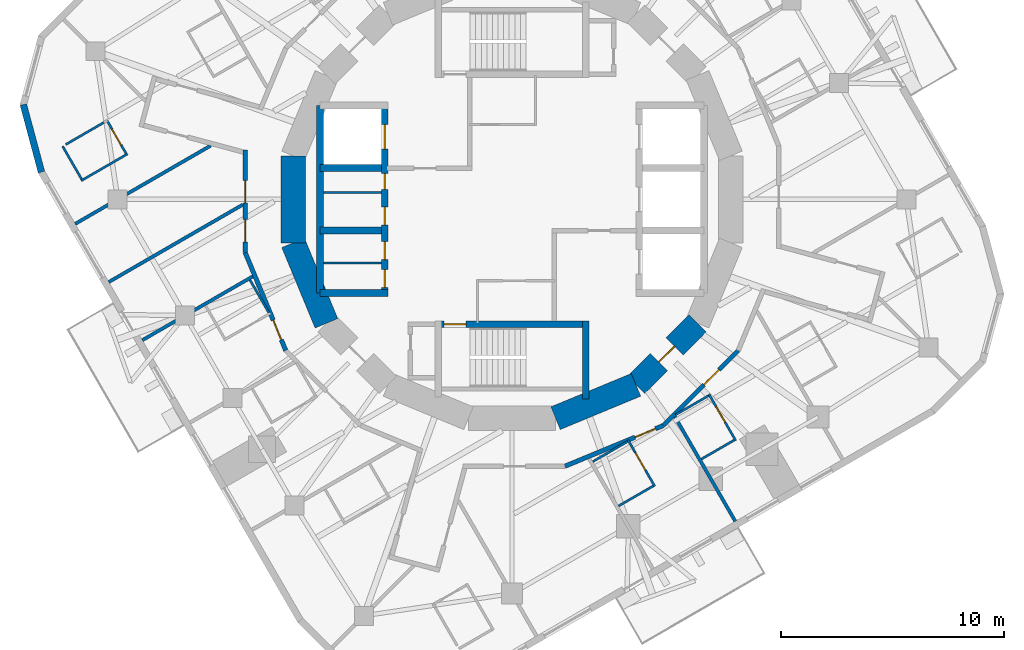
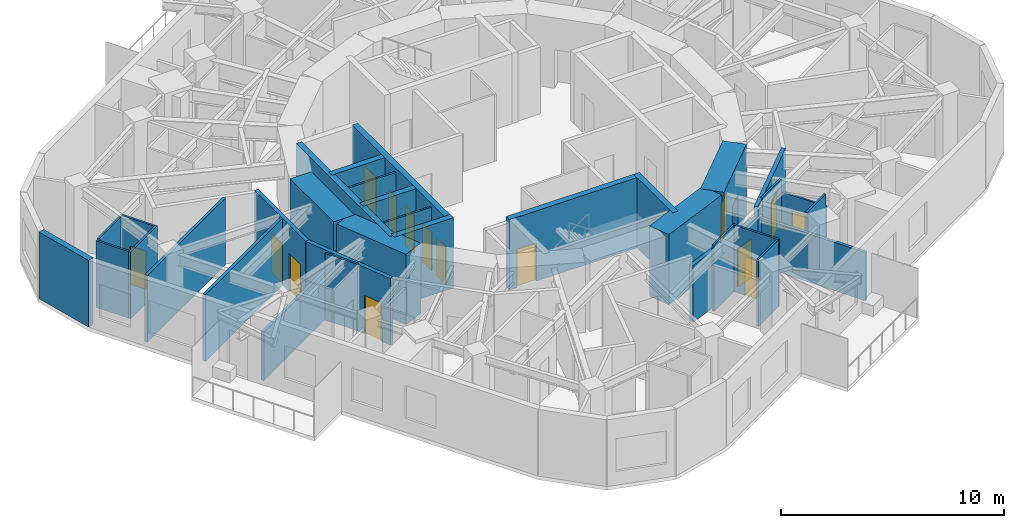
# One storey, part 5 of 11: 33 walls, 15 doors, 15 openings.
"""IFC4 building model written with IfcOpenShell, lengths in metres."""

from ifc_helpers import new_model, si_unit, direction, frame, frame_2d, origin, place, context, subcontext, project, spatial, rectangle, extrude, material, layer, layer_set, type_object, element, fill, save


model = new_model("IFC4")

# Units and contexts
model_context = context("Model", 3, precision=1e-05, world=origin(), true_north=direction((0.0, 1.0)))
body_context = subcontext(model_context, "Body", "Model", "MODEL_VIEW")
ifc_project = project(units=[si_unit("LENGTHUNIT", "METRE"), si_unit("AREAUNIT", "SQUARE_METRE"), si_unit("VOLUMEUNIT", "CUBIC_METRE"), si_unit("PLANEANGLEUNIT", "RADIAN"), si_unit("MASSUNIT", "GRAM", prefix="KILO")], contexts=[model_context])

# Site, building, storey
site_placement = place(None, origin())
site = spatial("IfcSite", under=ifc_project, at=site_placement, CompositionType="ELEMENT")
building_placement = place(site_placement, origin())
building = spatial("IfcBuilding", under=site, at=building_placement, Name="Nakasero Lantern House", CompositionType="ELEMENT")
storey_placement = place(building_placement, frame((0.0, 0.0, 250.050048828125)))
storey = spatial("IfcBuildingStorey", under=building, at=storey_placement, Name="L61", CompositionType="ELEMENT", Elevation=250.050048828125)

# Wall, openings, doors
ifc_material_1 = material(Name="Concrete C50/60", Category="concrete")
ifc_layer_1 = layer(ifc_material_1, 0.300048828125)
ifc_layer_set_1 = layer_set([ifc_layer_1], Name="Core inner wall 300")
wall_type_1 = type_object("IfcWallType", Name="Core inner wall 300", PredefinedType="SHEAR", material=ifc_layer_set_1)
wall_1_placement = place(storey_placement, frame((-5.699951171875, -4.199951171875, 0.0), z_axis=(0.0, 0.0, 1.0), x_axis=(0.0, 1.0, 0.0)))
wall_1 = element("IfcWall", 1, at=wall_1_placement, inside=storey, type_object=wall_type_1, Name="Core inner wall L61 LW", PredefinedType="SHEAR", context=body_context, shape_type="SweptSolid", body=[
    extrude(rectangle(XDim=8.39990234375, YDim=0.300048828125, at=frame_2d((4.199951171875, 0.0))), origin(), (0.0, 0.0, 1.0), 3.849853515625),
])
opening_1_placement = place(wall_1_placement, frame((0.25, 0.0, 0.0)))
opening_1 = element("IfcOpeningElement", 2, at=opening_1_placement, cuts=wall_1, Name="Opening D15", PredefinedType="OPENING", context=body_context, shape_type="SweptSolid", body=[
    extrude(rectangle(XDim=0.800048828125, YDim=2.10009765625, at=frame_2d((0.39990234375, 1.050048828125))), frame((0.0, 0.169921875, 0.0), z_axis=(0.0, -1.0, 0.0), x_axis=(1.0, 0.0, 0.0)), (0.0, 0.0, 1.0), 0.340087890625),
])
opening_2_placement = place(wall_1_placement, frame((1.5, 0.0, 0.0)))
opening_2 = element("IfcOpeningElement", 3, at=opening_2_placement, cuts=wall_1, Name="Opening D15", PredefinedType="OPENING", context=body_context, shape_type="SweptSolid", body=[
    extrude(rectangle(XDim=0.800048828125, YDim=2.10009765625, at=frame_2d((0.39990234375, 1.050048828125))), frame((0.0, 0.169921875, 0.0), z_axis=(0.0, -1.0, 0.0), x_axis=(1.0, 0.0, 0.0)), (0.0, 0.0, 1.0), 0.340087890625),
])
opening_3_placement = place(wall_1_placement, frame((3.050048828125, 0.0, 0.0)))
opening_3 = element("IfcOpeningElement", 4, at=opening_3_placement, cuts=wall_1, Name="Opening D15", PredefinedType="OPENING", context=body_context, shape_type="SweptSolid", body=[
    extrude(rectangle(XDim=0.800048828125, YDim=2.10009765625, at=frame_2d((0.39990234375, 1.050048828125))), frame((0.0, 0.169921875, 0.0), z_axis=(0.0, -1.0, 0.0), x_axis=(1.0, 0.0, 0.0)), (0.0, 0.0, 1.0), 0.340087890625),
])
opening_4_placement = place(wall_1_placement, frame((4.64990234375, 0.0, 0.0)))
opening_4 = element("IfcOpeningElement", 5, at=opening_4_placement, cuts=wall_1, Name="Opening D20", PredefinedType="OPENING", context=body_context, shape_type="SweptSolid", body=[
    extrude(rectangle(XDim=0.699951171875, YDim=2.10009765625, at=frame_2d((0.35009765625, 1.050048828125))), frame((0.0, 0.169921875, 0.0), z_axis=(0.0, -1.0, 0.0), x_axis=(1.0, 0.0, 0.0)), (0.0, 0.0, 1.0), 0.340087890625),
])
opening_5_placement = place(wall_1_placement, frame((6.449951171875, 0.0, 0.0)))
opening_5 = element("IfcOpeningElement", 6, at=opening_5_placement, cuts=wall_1, Name="Opening LD", PredefinedType="OPENING", context=body_context, shape_type="SweptSolid", body=[
    extrude(rectangle(XDim=1.10009765625, YDim=2.10009765625, at=frame_2d((0.550048828125, 1.050048828125))), frame((0.0, 0.169921875, 0.0), z_axis=(0.0, -1.0, 0.0), x_axis=(1.0, 0.0, 0.0)), (0.0, 0.0, 1.0), 0.340087890625),
])
ifc_material_2 = material(Name="Timber C24", Category="wood")
door_type_1 = type_object("IfcDoorType", Name="Cleaner's store door FD30S 700", OperationType="SINGLE_SWING_LEFT", PredefinedType="DOOR", material=ifc_material_2)
door_1_placement = place(opening_4_placement, origin())
door_1 = element("IfcDoor", 7, at=door_1_placement, inside=storey, type_object=door_type_1, Name="Door L61 D-SH-LW2b", OperationType="SINGLE_SWING_RIGHT", OverallHeight=2.10009765625, OverallWidth=0.699951171875, PredefinedType="DOOR", context=body_context, shape_type="SweptSolid", body=[
    extrude(rectangle(XDim=0.699951171875, YDim=2.10009765625, at=frame_2d((0.35009765625, 1.050048828125))), frame((0.0, 0.02490234375, 0.0), z_axis=(0.0, -1.0, 0.0), x_axis=(1.0, 0.0, 0.0)), (0.0, 0.0, 1.0), 0.050048828125),
])
fill(opening_4, door_1)
ifc_material_3 = material(Name="Timber C24", Category="wood")
door_type_2 = type_object("IfcDoorType", Name="Cleaner's store door FD30S 800", OperationType="SINGLE_SWING_LEFT", PredefinedType="DOOR", material=ifc_material_3)
door_2_placement = place(opening_1_placement, origin())
door_2 = element("IfcDoor", 8, at=door_2_placement, inside=storey, type_object=door_type_2, Name="Door L61 D-SH-LW1a", OperationType="SINGLE_SWING_LEFT", OverallHeight=2.10009765625, OverallWidth=0.800048828125, PredefinedType="DOOR", context=body_context, shape_type="SweptSolid", body=[
    extrude(rectangle(XDim=0.800048828125, YDim=2.10009765625, at=frame_2d((0.39990234375, 1.050048828125))), frame((0.0, 0.02490234375, 0.0), z_axis=(0.0, -1.0, 0.0), x_axis=(1.0, 0.0, 0.0)), (0.0, 0.0, 1.0), 0.050048828125),
])
fill(opening_1, door_2)
door_3_placement = place(opening_2_placement, origin())
door_3 = element("IfcDoor", 9, at=door_3_placement, inside=storey, type_object=door_type_2, Name="Door L61 D-SH-LW1b", OperationType="SINGLE_SWING_LEFT", OverallHeight=2.10009765625, OverallWidth=0.800048828125, PredefinedType="DOOR", context=body_context, shape_type="SweptSolid", body=[
    extrude(rectangle(XDim=0.800048828125, YDim=2.10009765625, at=frame_2d((0.39990234375, 1.050048828125))), frame((0.0, 0.02490234375, 0.0), z_axis=(0.0, -1.0, 0.0), x_axis=(1.0, 0.0, 0.0)), (0.0, 0.0, 1.0), 0.050048828125),
])
fill(opening_2, door_3)
door_4_placement = place(opening_3_placement, origin())
door_4 = element("IfcDoor", 10, at=door_4_placement, inside=storey, type_object=door_type_2, Name="Door L61 D-SH-LW2a", OperationType="SINGLE_SWING_LEFT", OverallHeight=2.10009765625, OverallWidth=0.800048828125, PredefinedType="DOOR", context=body_context, shape_type="SweptSolid", body=[
    extrude(rectangle(XDim=0.800048828125, YDim=2.10009765625, at=frame_2d((0.39990234375, 1.050048828125))), frame((0.0, 0.02490234375, 0.0), z_axis=(0.0, -1.0, 0.0), x_axis=(1.0, 0.0, 0.0)), (0.0, 0.0, 1.0), 0.050048828125),
])
fill(opening_3, door_4)
ifc_material_4 = material(Name="Steel S355", Category="steel")
door_type_3 = type_object("IfcDoorType", Name="Lift landing door E120 1100", OperationType="SLIDING_TO_LEFT", PredefinedType="DOOR", material=ifc_material_4)
door_5_placement = place(opening_5_placement, origin())
door_5 = element("IfcDoor", 11, at=door_5_placement, inside=storey, type_object=door_type_3, Name="Lift landing door LW3", OperationType="SLIDING_TO_LEFT", OverallHeight=2.10009765625, OverallWidth=1.10009765625, PredefinedType="DOOR", context=body_context, shape_type="SweptSolid", body=[
    extrude(rectangle(XDim=1.10009765625, YDim=2.10009765625, at=frame_2d((0.550048828125, 1.050048828125))), frame((0.0, 0.02490234375, 0.0), z_axis=(0.0, -1.0, 0.0), x_axis=(1.0, 0.0, 0.0)), (0.0, 0.0, 1.0), 0.050048828125),
])
fill(opening_5, door_5)

# Walls
wall_2_placement = place(storey_placement, frame((-8.60009765625, -4.199951171875, 0.0), z_axis=(0.0, 0.0, 1.0), x_axis=(1.0, 0.0, 0.0)))
element("IfcWall", 12, at=wall_2_placement, inside=storey, type_object=wall_type_1, Name="Core inner wall L61 LWS", PredefinedType="SHEAR", context=body_context, shape_type="SweptSolid", body=[
    extrude(rectangle(XDim=3.050048828125, YDim=0.300048828125, at=frame_2d((1.52490234375, 0.0))), origin(), (0.0, 0.0, 1.0), 3.849853515625),
])
wall_3_placement = place(storey_placement, frame((-8.60009765625, -4.199951171875, 0.0), z_axis=(0.0, 0.0, 1.0), x_axis=(0.0, 1.0, 0.0)))
element("IfcWall", 13, at=wall_3_placement, inside=storey, type_object=wall_type_1, Name="Core inner wall L61 LWB", PredefinedType="SHEAR", context=body_context, shape_type="SweptSolid", body=[
    extrude(rectangle(XDim=8.39990234375, YDim=0.300048828125, at=frame_2d((4.199951171875, 0.0))), origin(), (0.0, 0.0, 1.0), 3.849853515625),
])
for number, where, z_axis, x_axis, name in (
    (14, (-8.60009765625, -1.39990234375, 0.0), (0.0, 0.0, 1.0), (1.0, 0.0, 0.0), "Core inner wall L61 LW1"),
    (15, (-8.60009765625, 1.39990234375, 0.0), (0.0, 0.0, 1.0), (1.0, 0.0, 0.0), "Core inner wall L61 LW2"),
):
    element("IfcWall", number, at=place(storey_placement, frame(where, z_axis=z_axis, x_axis=x_axis)), inside=storey, type_object=wall_type_1, Name=name, PredefinedType="SHEAR", context=body_context, shape_type="SweptSolid", body=[
        extrude(rectangle(XDim=2.75, YDim=0.300048828125, at=frame_2d((1.375, 0.0))), origin(), (0.0, 0.0, 1.0), 3.849853515625),
    ])

# Wall, opening, door
wall_4_placement = place(storey_placement, frame((-3.449951171875, -5.60009765625, 0.0), z_axis=(0.0, 0.0, 1.0), x_axis=(1.0, 0.0, 0.0)))
wall_4 = element("IfcWall", 16, at=wall_4_placement, inside=storey, type_object=wall_type_1, Name="Core inner wall L61 SS", PredefinedType="SHEAR", context=body_context, shape_type="SweptSolid", body=[
    extrude(rectangle(XDim=6.89990234375, YDim=0.300048828125, at=frame_2d((3.449951171875, 0.0))), origin(), (0.0, 0.0, 1.0), 3.849853515625),
])
opening_6_placement = place(wall_4_placement, frame((0.39990234375, 0.0, 0.0)))
opening_6 = element("IfcOpeningElement", 17, at=opening_6_placement, cuts=wall_4, Name="Opening D05", PredefinedType="OPENING", context=body_context, shape_type="SweptSolid", body=[
    extrude(rectangle(XDim=1.0, YDim=2.10009765625, at=frame_2d((0.5, 1.050048828125))), frame((0.0, 0.169921875, 0.0), z_axis=(0.0, -1.0, 0.0), x_axis=(1.0, 0.0, 0.0)), (0.0, 0.0, 1.0), 0.340087890625),
])
ifc_material_5 = material(Name="Timber C24", Category="wood")
door_type_4 = type_object("IfcDoorType", Name="Core door FD60S 1000", OperationType="SINGLE_SWING_LEFT", PredefinedType="DOOR", material=ifc_material_5)
door_6_placement = place(opening_6_placement, origin())
door_6 = element("IfcDoor", 18, at=door_6_placement, inside=storey, type_object=door_type_4, Name="Door L61 D-ST2", OperationType="SINGLE_SWING_LEFT", OverallHeight=2.10009765625, OverallWidth=1.0, PredefinedType="DOOR", context=body_context, shape_type="SweptSolid", body=[
    extrude(rectangle(XDim=1.0, YDim=2.10009765625, at=frame_2d((0.5, 1.050048828125))), frame((0.0, 0.02490234375, 0.0), z_axis=(0.0, -1.0, 0.0), x_axis=(1.0, 0.0, 0.0)), (0.0, 0.0, 1.0), 0.050048828125),
])
fill(opening_6, door_6)

# Walls
wall_5_placement = place(storey_placement, frame((3.300048828125, -5.449951171875, 0.0), z_axis=(0.0, 0.0, 1.0), x_axis=(0.0, -1.0, 0.0)))
element("IfcWall", 19, at=wall_5_placement, inside=storey, type_object=wall_type_1, Name="Core inner wall L61 SSE", PredefinedType="SHEAR", context=body_context, shape_type="SweptSolid", body=[
    extrude(rectangle(XDim=3.5, YDim=0.300048828125, at=frame_2d((1.75, 0.0))), origin(), (0.0, 0.0, 1.0), 3.849853515625),
])
ifc_material_6 = material(Name="Blockwork", Category="masonry")
ifc_layer_2 = layer(ifc_material_6, 0.10009765625)
ifc_layer_set_2 = layer_set([ifc_layer_2], Name="Core room wall 100")
wall_type_2 = type_object("IfcWallType", Name="Core room wall 100", PredefinedType="PARTITIONING", material=ifc_layer_set_2)
for number, where, z_axis, x_axis, name in (
    (20, (-8.449951171875, -2.85009765625, 0.0), (0.0, 0.0, 1.0), (1.0, 0.0, 0.0), "Core room wall L61 CR-SH-LW1b"),
    (21, (-8.449951171875, 0.300048828125, 0.0), (0.0, 0.0, 1.0), (1.0, 0.0, 0.0), "Core room wall L61 CR-SH-LW2b"),
):
    element("IfcWall", number, at=place(storey_placement, frame(where, z_axis=z_axis, x_axis=x_axis)), inside=storey, type_object=wall_type_2, Name=name, PredefinedType="PARTITIONING", context=body_context, shape_type="SweptSolid", body=[
        extrude(rectangle(XDim=2.599853515625, YDim=0.10009765625, at=frame_2d((1.2998046875, 0.0))), origin(), (0.0, 0.0, 1.0), 3.64990234375),
    ])
ifc_material_7 = material(Name="Concrete C50/60", Category="concrete")
ifc_layer_3 = layer(ifc_material_7, 1.10009765625)
ifc_layer_set_3 = layer_set([ifc_layer_3], Name="Core wall 1100")
wall_type_3 = type_object("IfcWallType", Name="Core wall 1100", PredefinedType="SHEAR", material=ifc_layer_set_3)
for number, where, z_axis, x_axis, name in (
    (22, (-9.807861328125, 1.950927734375, 0.0), (0.0, 0.0, 1.0), (0.0, -1.0, 0.0), "Core wall L61 facet 8"),
    (23, (-9.807861328125, -1.950927734375, 0.0), (0.0, 0.0, 1.0), (0.382690736062, -0.923876507187, 0.0), "Core wall L61 facet 9"),
    (24, (1.950927734375, -9.807861328125, 0.0), (0.0, 0.0, 1.0), (0.923876507187, 0.382690736062, 0.0), "Core wall L61 facet 13"),
):
    element("IfcWall", number, at=place(storey_placement, frame(where, z_axis=z_axis, x_axis=x_axis)), inside=storey, type_object=wall_type_3, Name=name, PredefinedType="SHEAR", context=body_context, shape_type="SweptSolid", body=[
        extrude(rectangle(XDim=3.90185546875, YDim=1.10009765625, at=frame_2d((1.950927734375, 0.0))), origin(), (0.0, 0.0, 1.0), 3.849853515625),
    ])

# Wall, opening, door
wall_6_placement = place(storey_placement, frame((5.5556640625, -8.314697265625, 0.0), z_axis=(0.0, 0.0, 1.0), x_axis=(0.707106781187, 0.707106781187, 0.0)))
wall_6 = element("IfcWall", 25, at=wall_6_placement, inside=storey, type_object=wall_type_3, Name="Core wall L61 facet 14", PredefinedType="SHEAR", context=body_context, shape_type="SweptSolid", body=[
    extrude(rectangle(XDim=3.90185546875, YDim=1.10009765625, at=frame_2d((1.950927734375, 0.0))), origin(), (0.0, 0.0, 1.0), 3.849853515625),
])
opening_7_placement = place(wall_6_placement, frame((1.450927734375, 0.0, 0.0)))
opening_7 = element("IfcOpeningElement", 26, at=opening_7_placement, cuts=wall_6, Name="Opening D05", PredefinedType="OPENING", context=body_context, shape_type="SweptSolid", body=[
    extrude(rectangle(XDim=1.0, YDim=2.10009765625, at=frame_2d((0.5, 1.050048828125))), frame((0.0, 0.570068359375, 0.0), z_axis=(0.0, -1.0, 0.0), x_axis=(1.0, 0.0, 0.0)), (0.0, 0.0, 1.0), 1.14013671875),
])
door_7_placement = place(opening_7_placement, origin())
door_7 = element("IfcDoor", 27, at=door_7_placement, inside=storey, type_object=door_type_4, Name="Door L61 D-CORE14", OperationType="SINGLE_SWING_LEFT", OverallHeight=2.10009765625, OverallWidth=1.0, PredefinedType="DOOR", context=body_context, shape_type="SweptSolid", body=[
    extrude(rectangle(XDim=1.0, YDim=2.10009765625, at=frame_2d((0.5, 1.050048828125))), frame((0.0, 0.02490234375, 0.0), z_axis=(0.0, -1.0, 0.0), x_axis=(1.0, 0.0, 0.0)), (0.0, 0.0, 1.0), 0.050048828125),
])
fill(opening_7, door_7)

ifc_material_8 = material(Name="Blockwork", Category="masonry")
ifc_layer_4 = layer(ifc_material_8, 0.199951171875)
ifc_layer_set_4 = layer_set([ifc_layer_4], Name="Corridor wall 200")
wall_type_4 = type_object("IfcWallType", Name="Corridor wall 200", PredefinedType="PARTITIONING", material=ifc_layer_set_4)
wall_7_placement = place(storey_placement, frame((10.137451171875, -6.773681640625, 0.0), z_axis=(0.0, 0.0, 1.0), x_axis=(-0.707106781187, -0.707106781187, 0.0)))
wall_7 = element("IfcWall", 28, at=wall_7_placement, inside=storey, type_object=wall_type_4, Name="Corridor wall L61 RC02a", PredefinedType="PARTITIONING", context=body_context, shape_type="SweptSolid", body=[
    extrude(rectangle(XDim=4.757080078125, YDim=0.199951171875, at=frame_2d((2.37841796875, 0.0))), origin(), (0.0, 0.0, 1.0), 3.64990234375),
])
opening_8_placement = place(wall_7_placement, frame((1.219970703125, 0.0, 0.0)))
opening_8 = element("IfcOpeningElement", 29, at=opening_8_placement, cuts=wall_7, Name="Opening D01", PredefinedType="OPENING", context=body_context, shape_type="SweptSolid", body=[
    extrude(rectangle(XDim=0.949951171875, YDim=2.10009765625, at=frame_2d((0.47509765625, 1.050048828125))), frame((0.0, 0.119873046875, 0.0), z_axis=(0.0, -1.0, 0.0), x_axis=(1.0, 0.0, 0.0)), (0.0, 0.0, 1.0), 0.239990234375),
])
ifc_material_9 = material(Name="Timber C24", Category="wood")
door_type_5 = type_object("IfcDoorType", Name="Bedroom door FD30S 950", OperationType="SINGLE_SWING_LEFT", PredefinedType="DOOR", material=ifc_material_9)
door_8_placement = place(opening_8_placement, origin())
door_8 = element("IfcDoor", 30, at=door_8_placement, inside=storey, type_object=door_type_5, Name="Door L61 D3-04", OperationType="SINGLE_SWING_LEFT", OverallHeight=2.10009765625, OverallWidth=0.949951171875, PredefinedType="DOOR", context=body_context, shape_type="SweptSolid", body=[
    extrude(rectangle(XDim=0.949951171875, YDim=2.10009765625, at=frame_2d((0.47509765625, 1.050048828125))), frame((0.0, 0.02490234375, 0.0), z_axis=(0.0, -1.0, 0.0), x_axis=(1.0, 0.0, 0.0)), (0.0, 0.0, 1.0), 0.050048828125),
])
fill(opening_8, door_8)

wall_8_placement = place(storey_placement, frame((6.773681640625, -10.137451171875, 0.0), z_axis=(0.0, 0.0, 1.0), x_axis=(-0.923891735412, -0.382653970627, 0.0)))
wall_8 = element("IfcWall", 31, at=wall_8_placement, inside=storey, type_object=wall_type_4, Name="Corridor wall L61 RC03a", PredefinedType="PARTITIONING", context=body_context, shape_type="SweptSolid", body=[
    extrude(rectangle(XDim=4.757080078125, YDim=0.199951171875, at=frame_2d((2.37841796875, 0.0))), origin(), (0.0, 0.0, 1.0), 3.11328125),
])
opening_9_placement = place(wall_8_placement, frame((0.3701171875, 0.0, 0.0)))
opening_9 = element("IfcOpeningElement", 32, at=opening_9_placement, cuts=wall_8, Name="Opening D07", PredefinedType="OPENING", context=body_context, shape_type="SweptSolid", body=[
    extrude(rectangle(XDim=1.0, YDim=2.10009765625, at=frame_2d((0.5, 1.050048828125))), frame((0.0, 0.119873046875, 0.0), z_axis=(0.0, -1.0, 0.0), x_axis=(1.0, 0.0, 0.0)), (0.0, 0.0, 1.0), 0.239990234375),
])
ifc_material_10 = material(Name="Timber C24", Category="wood")
door_type_6 = type_object("IfcDoorType", Name="Room door FD30S 1000", OperationType="SINGLE_SWING_LEFT", PredefinedType="DOOR", material=ifc_material_10)
door_9_placement = place(opening_9_placement, origin())
door_9 = element("IfcDoor", 33, at=door_9_placement, inside=storey, type_object=door_type_6, Name="Door L61 D3-03", OperationType="SINGLE_SWING_LEFT", OverallHeight=2.10009765625, OverallWidth=1.0, PredefinedType="DOOR", context=body_context, shape_type="SweptSolid", body=[
    extrude(rectangle(XDim=1.0, YDim=2.10009765625, at=frame_2d((0.5, 1.050048828125))), frame((0.0, 0.02490234375, 0.0), z_axis=(0.0, -1.0, 0.0), x_axis=(1.0, 0.0, 0.0)), (0.0, 0.0, 1.0), 0.050048828125),
])
fill(opening_9, door_9)

wall_9_placement = place(storey_placement, frame((-10.137451171875, -6.773681640625, 0.0), z_axis=(0.0, 0.0, 1.0), x_axis=(-0.382653970627, 0.923891735412, 0.0)))
wall_9 = element("IfcWall", 34, at=wall_9_placement, inside=storey, type_object=wall_type_4, Name="Corridor wall L61 RC07a", PredefinedType="PARTITIONING", context=body_context, shape_type="SweptSolid", body=[
    extrude(rectangle(XDim=4.757080078125, YDim=0.199951171875, at=frame_2d((2.37841796875, 0.0))), origin(), (0.0, 0.0, 1.0), 3.64990234375),
])
opening_10_placement = place(wall_9_placement, frame((0.52001953125, 0.0, 0.0)))
opening_10 = element("IfcOpeningElement", 35, at=opening_10_placement, cuts=wall_9, Name="Opening D01", PredefinedType="OPENING", context=body_context, shape_type="SweptSolid", body=[
    extrude(rectangle(XDim=0.949951171875, YDim=2.10009765625, at=frame_2d((0.47509765625, 1.050048828125))), frame((0.0, 0.119873046875, 0.0), z_axis=(0.0, -1.0, 0.0), x_axis=(1.0, 0.0, 0.0)), (0.0, 0.0, 1.0), 0.239990234375),
])
door_10_placement = place(opening_10_placement, origin())
door_10 = element("IfcDoor", 36, at=door_10_placement, inside=storey, type_object=door_type_5, Name="Door L61 D2-03", OperationType="SINGLE_SWING_LEFT", OverallHeight=2.10009765625, OverallWidth=0.949951171875, PredefinedType="DOOR", context=body_context, shape_type="SweptSolid", body=[
    extrude(rectangle(XDim=0.949951171875, YDim=2.10009765625, at=frame_2d((0.47509765625, 1.050048828125))), frame((0.0, 0.02490234375, 0.0), z_axis=(0.0, -1.0, 0.0), x_axis=(1.0, 0.0, 0.0)), (0.0, 0.0, 1.0), 0.050048828125),
])
fill(opening_10, door_10)

# Wall, openings, doors
wall_10_placement = place(storey_placement, frame((-11.957763671875, -2.378662109375, 0.0), z_axis=(0.0, 0.0, 1.0), x_axis=(0.0, 1.0, 0.0)))
wall_10 = element("IfcWall", 37, at=wall_10_placement, inside=storey, type_object=wall_type_4, Name="Corridor wall L61 RC08a", PredefinedType="PARTITIONING", context=body_context, shape_type="SweptSolid", body=[
    extrude(rectangle(XDim=4.57861328125, YDim=0.199951171875, at=frame_2d((2.289306640625, 0.0))), origin(), (0.0, 0.0, 1.0), 3.64990234375),
])
opening_11_placement = place(wall_10_placement, frame((2.219970703125, 0.0, 0.0)))
opening_11 = element("IfcOpeningElement", 38, at=opening_11_placement, cuts=wall_10, Name="Opening D03", PredefinedType="OPENING", context=body_context, shape_type="SweptSolid", body=[
    extrude(rectangle(XDim=1.0, YDim=2.10009765625, at=frame_2d((0.5, 1.050048828125))), frame((0.0, 0.119873046875, 0.0), z_axis=(0.0, -1.0, 0.0), x_axis=(1.0, 0.0, 0.0)), (0.0, 0.0, 1.0), 0.239990234375),
])
opening_12_placement = place(wall_10_placement, frame((0.469970703125, 0.0, 0.0)))
opening_12 = element("IfcOpeningElement", 39, at=opening_12_placement, cuts=wall_10, Name="Opening D03", PredefinedType="OPENING", context=body_context, shape_type="SweptSolid", body=[
    extrude(rectangle(XDim=1.0, YDim=2.10009765625, at=frame_2d((0.5, 1.050048828125))), frame((0.0, 0.119873046875, 0.0), z_axis=(0.0, -1.0, 0.0), x_axis=(1.0, 0.0, 0.0)), (0.0, 0.0, 1.0), 0.239990234375),
])
ifc_material_11 = material(Name="Timber C24", Category="wood")
door_type_7 = type_object("IfcDoorType", Name="Lounge door FD30S 1000", OperationType="SINGLE_SWING_LEFT", PredefinedType="DOOR", material=ifc_material_11)
door_11_placement = place(opening_11_placement, origin())
door_11 = element("IfcDoor", 40, at=door_11_placement, inside=storey, type_object=door_type_7, Name="Door L61 DK2", OperationType="SINGLE_SWING_RIGHT", OverallHeight=2.10009765625, OverallWidth=1.0, PredefinedType="DOOR", context=body_context, shape_type="SweptSolid", body=[
    extrude(rectangle(XDim=1.0, YDim=2.10009765625, at=frame_2d((0.5, 1.050048828125))), frame((0.0, 0.02490234375, 0.0), z_axis=(0.0, -1.0, 0.0), x_axis=(1.0, 0.0, 0.0)), (0.0, 0.0, 1.0), 0.050048828125),
])
fill(opening_11, door_11)
door_12_placement = place(opening_12_placement, origin())
door_12 = element("IfcDoor", 41, at=door_12_placement, inside=storey, type_object=door_type_7, Name="Door L61 DK2-1", OperationType="SINGLE_SWING_LEFT", OverallHeight=2.10009765625, OverallWidth=1.0, PredefinedType="DOOR", context=body_context, shape_type="SweptSolid", body=[
    extrude(rectangle(XDim=1.0, YDim=2.10009765625, at=frame_2d((0.5, 1.050048828125))), frame((0.0, 0.02490234375, 0.0), z_axis=(0.0, -1.0, 0.0), x_axis=(1.0, 0.0, 0.0)), (0.0, 0.0, 1.0), 0.050048828125),
])
fill(opening_12, door_12)

# Walls
ifc_material_12 = material(Name="Blockwork", Category="masonry")
ifc_layer_5 = layer(ifc_material_12, 0.10009765625)
ifc_layer_set_5 = layer_set([ifc_layer_5], Name="En-suite wall 100")
wall_type_5 = type_object("IfcWallType", Name="En-suite wall 100", PredefinedType="PARTITIONING", material=ifc_layer_set_5)
wall_11_placement = place(storey_placement, frame((-17.225341796875, 2.034912109375, 0.0), z_axis=(0.0, 0.0, 1.0), x_axis=(-0.866024647952, -0.500001309137, 0.0)))
element("IfcWall", 42, at=wall_11_placement, inside=storey, type_object=wall_type_5, Name="En-suite wall L61 ES2-00", PredefinedType="PARTITIONING", context=body_context, shape_type="SweptSolid", body=[
    extrude(rectangle(XDim=2.39990234375, YDim=0.10009765625, at=frame_2d((1.199951171875, 0.0))), origin(), (0.0, 0.0, 1.0), 3.64990234375),
])
wall_12_placement = place(storey_placement, frame((-20.135498046875, 2.37548828125, 0.0), z_axis=(0.0, 0.0, 1.0), x_axis=(0.500062241894, -0.865989465428, 0.0)))
element("IfcWall", 43, at=wall_12_placement, inside=storey, type_object=wall_type_5, Name="En-suite wall L61 EE2-00", PredefinedType="PARTITIONING", context=body_context, shape_type="SweptSolid", body=[
    extrude(rectangle(XDim=1.699951171875, YDim=0.10009765625, at=frame_2d((0.85009765625, 0.0))), origin(), (0.0, 0.0, 1.0), 3.64990234375),
])

# Wall, opening, door
wall_13_placement = place(storey_placement, frame((-18.1435546875, 3.525634765625, 0.0), z_axis=(0.0, 0.0, 1.0), x_axis=(0.500000056704, -0.866025371046, 0.0)))
wall_13 = element("IfcWall", 44, at=wall_13_placement, inside=storey, type_object=wall_type_5, Name="En-suite wall L61 EI2-00", PredefinedType="PARTITIONING", context=body_context, shape_type="SweptSolid", body=[
    extrude(rectangle(XDim=1.7001953125, YDim=0.10009765625, at=frame_2d((0.85009765625, 0.0))), origin(), (0.0, 0.0, 1.0), 3.64990234375),
])
opening_13_placement = place(wall_13_placement, frame((0.449951171875, 0.0, 0.0)))
opening_13 = element("IfcOpeningElement", 45, at=opening_13_placement, cuts=wall_13, Name="Opening D02", PredefinedType="OPENING", context=body_context, shape_type="SweptSolid", body=[
    extrude(rectangle(XDim=0.800048828125, YDim=2.10009765625, at=frame_2d((0.39990234375, 1.050048828125))), frame((0.0, 0.070068359375, 0.0), z_axis=(0.0, -1.0, 0.0), x_axis=(1.0, 0.0, 0.0)), (0.0, 0.0, 1.0), 0.14013671875),
])
ifc_material_13 = material(Name="Timber C24", Category="wood")
door_type_8 = type_object("IfcDoorType", Name="En-suite door 800", OperationType="SINGLE_SWING_RIGHT", PredefinedType="DOOR", material=ifc_material_13)
door_13_placement = place(opening_13_placement, origin())
door_13 = element("IfcDoor", 46, at=door_13_placement, inside=storey, type_object=door_type_8, Name="Door L61 DE2-00", OperationType="SINGLE_SWING_RIGHT", OverallHeight=2.10009765625, OverallWidth=0.800048828125, PredefinedType="DOOR", context=body_context, shape_type="SweptSolid", body=[
    extrude(rectangle(XDim=0.800048828125, YDim=2.10009765625, at=frame_2d((0.39990234375, 1.050048828125))), frame((0.0, 0.02490234375, 0.0), z_axis=(0.0, -1.0, 0.0), x_axis=(1.0, 0.0, 0.0)), (0.0, 0.0, 1.0), 0.050048828125),
])
fill(opening_13, door_13)

# Wall
wall_14_placement = place(storey_placement, frame((-11.74072265625, -3.614013671875, 0.0), z_axis=(0.0, 0.0, 1.0), x_axis=(0.499892348375, -0.866087547558, 0.0)))
element("IfcWall", 47, at=wall_14_placement, inside=storey, type_object=wall_type_5, Name="En-suite wall L61 EI2-03", PredefinedType="PARTITIONING", context=body_context, shape_type="SweptSolid", body=[
    extrude(rectangle(XDim=1.699951171875, YDim=0.10009765625, at=frame_2d((0.85009765625, 0.0))), origin(), (0.0, 0.0, 1.0), 3.64990234375),
])

# Wall, opening, door
wall_15_placement = place(storey_placement, frame((5.19775390625, -10.783935546875, 0.0), z_axis=(0.0, 0.0, 1.0), x_axis=(0.500077600433, -0.865980596518, 0.0)))
wall_15 = element("IfcWall", 48, at=wall_15_placement, inside=storey, type_object=wall_type_5, Name="En-suite wall L61 ES3-03", PredefinedType="PARTITIONING", context=body_context, shape_type="SweptSolid", body=[
    extrude(rectangle(XDim=2.39990234375, YDim=0.10009765625, at=frame_2d((1.199951171875, 0.0))), origin(), (0.0, 0.0, 1.0), 3.64990234375),
])
opening_14_placement = place(wall_15_placement, frame((0.64990234375, 0.0, 0.0)))
opening_14 = element("IfcOpeningElement", 49, at=opening_14_placement, cuts=wall_15, Name="Opening D16", PredefinedType="OPENING", context=body_context, shape_type="SweptSolid", body=[
    extrude(rectangle(XDim=0.89990234375, YDim=2.10009765625, at=frame_2d((0.449951171875, 1.050048828125))), frame((0.0, 0.070068359375, 0.0), z_axis=(0.0, -1.0, 0.0), x_axis=(1.0, 0.0, 0.0)), (0.0, 0.0, 1.0), 0.14013671875),
])
ifc_material_14 = material(Name="Timber C24", Category="wood")
door_type_9 = type_object("IfcDoorType", Name="Accessible WC door 900", OperationType="SINGLE_SWING_RIGHT", PredefinedType="DOOR", material=ifc_material_14)
door_14_placement = place(opening_14_placement, origin())
door_14 = element("IfcDoor", 50, at=door_14_placement, inside=storey, type_object=door_type_9, Name="Door L61 DE3-03", OperationType="SINGLE_SWING_LEFT", OverallHeight=2.10009765625, OverallWidth=0.89990234375, PredefinedType="DOOR", context=body_context, shape_type="SweptSolid", body=[
    extrude(rectangle(XDim=0.89990234375, YDim=2.10009765625, at=frame_2d((0.449951171875, 1.050048828125))), frame((0.0, 0.02490234375, 0.0), z_axis=(0.0, -1.0, 0.0), x_axis=(1.0, 0.0, 0.0)), (0.0, 0.0, 1.0), 0.050048828125),
])
fill(opening_14, door_14)

# Walls
for number, where, z_axis, x_axis, name in (
    (51, (4.770751953125, -13.744140625, 0.0), (0.0, 0.0, 1.0), (0.865989075817, 0.500062916607, 0.0), "En-suite wall L61 EE3-03"),
    (52, (3.62060546875, -11.752197265625, 0.0), (0.0, 0.0, 1.0), (0.866047807691, 0.499961193289, 0.0), "En-suite wall L61 EI3-03"),
):
    element("IfcWall", number, at=place(storey_placement, frame(where, z_axis=z_axis, x_axis=x_axis)), inside=storey, type_object=wall_type_5, Name=name, PredefinedType="PARTITIONING", context=body_context, shape_type="SweptSolid", body=[
        extrude(rectangle(XDim=1.800048828125, YDim=0.10009765625, at=frame_2d((0.89990234375, 0.0))), origin(), (0.0, 0.0, 1.0), 3.64990234375),
    ])

# Wall, opening, door
wall_16_placement = place(storey_placement, frame((8.82421875, -8.732177734375, 0.0), z_axis=(0.0, 0.0, 1.0), x_axis=(0.500001309137, -0.866024647952, 0.0)))
wall_16 = element("IfcWall", 53, at=wall_16_placement, inside=storey, type_object=wall_type_5, Name="En-suite wall L61 ES3-04", PredefinedType="PARTITIONING", context=body_context, shape_type="SweptSolid", body=[
    extrude(rectangle(XDim=2.39990234375, YDim=0.10009765625, at=frame_2d((1.199951171875, 0.0))), origin(), (0.0, 0.0, 1.0), 2.95703125),
])
opening_15_placement = place(wall_16_placement, frame((0.64990234375, 0.0, 0.0)))
opening_15 = element("IfcOpeningElement", 54, at=opening_15_placement, cuts=wall_16, Name="Opening D02", PredefinedType="OPENING", context=body_context, shape_type="SweptSolid", body=[
    extrude(rectangle(XDim=0.800048828125, YDim=2.10009765625, at=frame_2d((0.39990234375, 1.050048828125))), frame((0.0, 0.070068359375, 0.0), z_axis=(0.0, -1.0, 0.0), x_axis=(1.0, 0.0, 0.0)), (0.0, 0.0, 1.0), 0.14013671875),
])
door_15_placement = place(opening_15_placement, origin())
door_15 = element("IfcDoor", 55, at=door_15_placement, inside=storey, type_object=door_type_8, Name="Door L61 DE3-04", OperationType="SINGLE_SWING_LEFT", OverallHeight=2.10009765625, OverallWidth=0.800048828125, PredefinedType="DOOR", context=body_context, shape_type="SweptSolid", body=[
    extrude(rectangle(XDim=0.800048828125, YDim=2.10009765625, at=frame_2d((0.39990234375, 1.050048828125))), frame((0.0, 0.02490234375, 0.0), z_axis=(0.0, -1.0, 0.0), x_axis=(1.0, 0.0, 0.0)), (0.0, 0.0, 1.0), 0.050048828125),
])
fill(opening_15, door_15)

# Walls
for number, where, z_axis, x_axis, name in (
    (56, (8.483642578125, -11.642333984375, 0.0), (0.0, 0.0, 1.0), (0.865989465428, 0.500062241894, 0.0), "En-suite wall L61 EE3-04"),
    (57, (7.333740234375, -9.650390625, 0.0), (0.0, 0.0, 1.0), (0.86605165483, 0.499954529098, 0.0), "En-suite wall L61 EI3-04"),
):
    element("IfcWall", number, at=place(storey_placement, frame(where, z_axis=z_axis, x_axis=x_axis)), inside=storey, type_object=wall_type_5, Name=name, PredefinedType="PARTITIONING", context=body_context, shape_type="SweptSolid", body=[
        extrude(rectangle(XDim=1.699951171875, YDim=0.10009765625, at=frame_2d((0.85009765625, 0.0))), origin(), (0.0, 0.0, 1.0), 3.64990234375),
    ])
wall_17_placement = place(storey_placement, frame((-18.2822265625, 3.445556640625, 0.0), z_axis=(0.0, 0.0, 1.0), x_axis=(-0.866011036969, -0.500024883228, 0.0)))
element("IfcWall", 58, at=wall_17_placement, inside=storey, type_object=wall_type_5, Name="En-suite wall L61 EX002", PredefinedType="PARTITIONING", context=body_context, shape_type="SweptSolid", body=[
    extrude(rectangle(XDim=1.97998046875, YDim=0.10009765625, at=frame_2d((0.989990234375, 0.0))), origin(), (0.0, 0.0, 1.0), 3.64990234375),
])
ifc_material_15 = material(Name="Aluminium rainscreen on blockwork", Category="masonry")
ifc_layer_6 = layer(ifc_material_15, 0.300048828125)
ifc_layer_set_6 = layer_set([ifc_layer_6], Name="Facade wall 300")
wall_type_6 = type_object("IfcWallType", Name="Facade wall 300", PredefinedType="SOLIDWALL", material=ifc_layer_set_6)
wall_18_placement = place(storey_placement, frame((-21.89599609375, 4.245849609375, 0.0), z_axis=(0.0, 0.0, 1.0), x_axis=(0.258827010283, -0.96592369199, 0.0)))
element("IfcWall", 59, at=wall_18_placement, inside=storey, type_object=wall_type_6, Name="Facade wall L61 FW1C3", PredefinedType="SOLIDWALL", context=body_context, shape_type="SweptSolid", body=[
    extrude(rectangle(XDim=3.131591796875, YDim=0.300048828125, at=frame_2d((1.56591796875, 0.0))), origin(), (0.0, 0.0, 1.0), 3.64990234375),
])
ifc_material_16 = material(Name="Blockwork", Category="masonry")
ifc_layer_7 = layer(ifc_material_16, 0.14990234375)
ifc_layer_set_7 = layer_set([ifc_layer_7], Name="Party wall 150")
wall_type_7 = type_object("IfcWallType", Name="Party wall 150", PredefinedType="PARTITIONING", material=ifc_layer_set_7)
wall_19_placement = place(storey_placement, frame((-13.499755859375, 2.406005859375, 0.0), z_axis=(0.0, 0.0, 1.0), x_axis=(-0.866016859018, -0.500014799677, 0.0)))
element("IfcWall", 60, at=wall_19_placement, inside=storey, type_object=wall_type_7, Name="Party wall L61 PW2-01", PredefinedType="PARTITIONING", context=body_context, shape_type="SweptSolid", body=[
    extrude(rectangle(XDim=7.011962890625, YDim=0.14990234375, at=frame_2d((3.505859375, 0.0))), origin(), (0.0, 0.0, 1.0), 3.64990234375),
])
wall_20_placement = place(storey_placement, frame((-12.057861328125, -0.236083984375, 0.0), z_axis=(0.0, 0.0, 1.0), x_axis=(-0.866026229868, -0.499998569178, 0.0)))
element("IfcWall", 61, at=wall_20_placement, inside=storey, type_object=wall_type_7, Name="Party wall L61 PW2-02", PredefinedType="PARTITIONING", context=body_context, shape_type="SweptSolid", body=[
    extrude(rectangle(XDim=6.939453125, YDim=0.14990234375, at=frame_2d((3.4697265625, 0.0))), origin(), (0.0, 0.0, 1.0), 3.64990234375),
])
wall_21_placement = place(storey_placement, frame((-11.619140625, -3.457275390625, 0.0), z_axis=(0.0, 0.0, 1.0), x_axis=(-0.866023927955, -0.500002556202, 0.0)))
element("IfcWall", 62, at=wall_21_placement, inside=storey, type_object=wall_type_7, Name="Party wall L61 PW2-03", PredefinedType="PARTITIONING", context=body_context, shape_type="SweptSolid", body=[
    extrude(rectangle(XDim=5.708984375, YDim=0.14990234375, at=frame_2d((2.8544921875, 0.0))), origin(), (0.0, 0.0, 1.0), 2.641845703125),
])
wall_22_placement = place(storey_placement, frame((7.3037109375, -9.748779296875, 0.0), z_axis=(0.0, 0.0, 1.0), x_axis=(0.500030010259, -0.86600807666, 0.0)))
element("IfcWall", 63, at=wall_22_placement, inside=storey, type_object=wall_type_7, Name="Party wall L61 PW3-04", PredefinedType="PARTITIONING", context=body_context, shape_type="SweptSolid", body=[
    extrude(rectangle(XDim=5.405517578125, YDim=0.14990234375, at=frame_2d((2.70263671875, 0.0))), origin(), (0.0, 0.0, 1.0), 2.650146484375),
])

save(model, "model.ifc")
